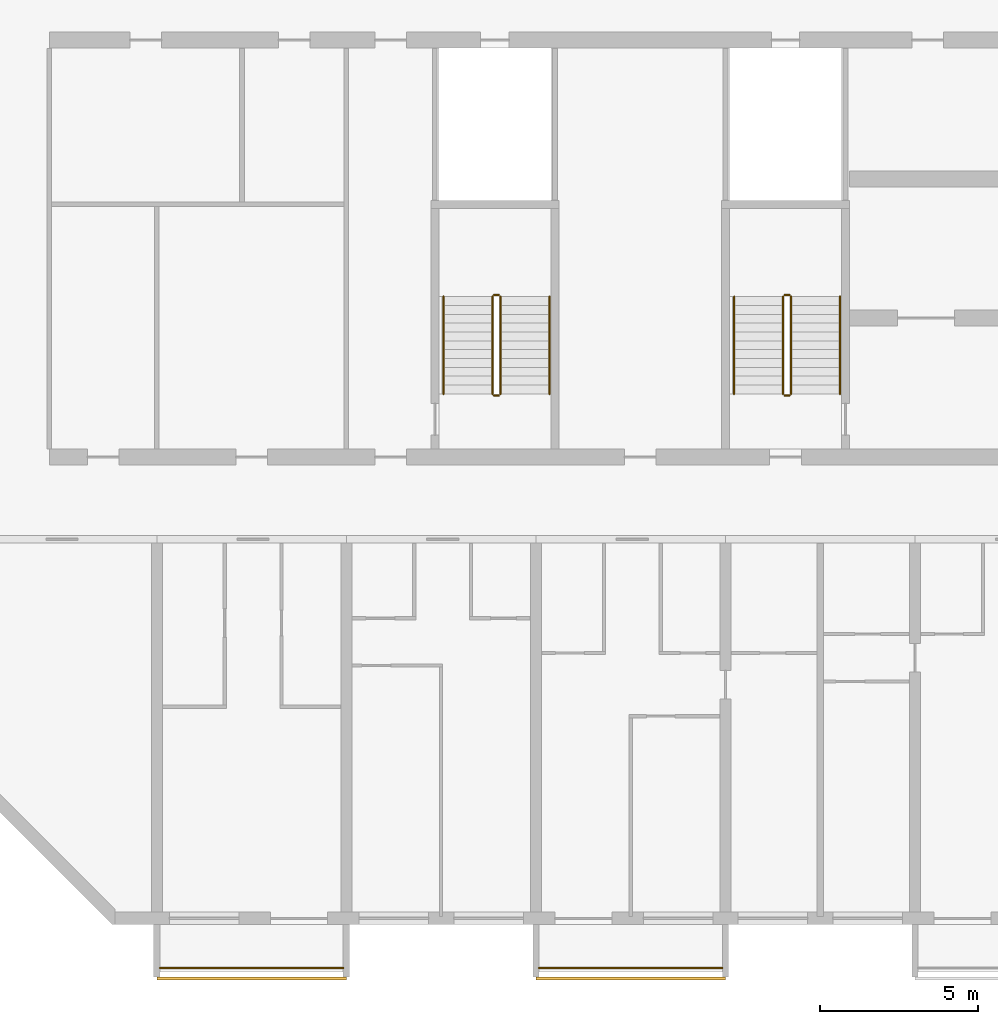
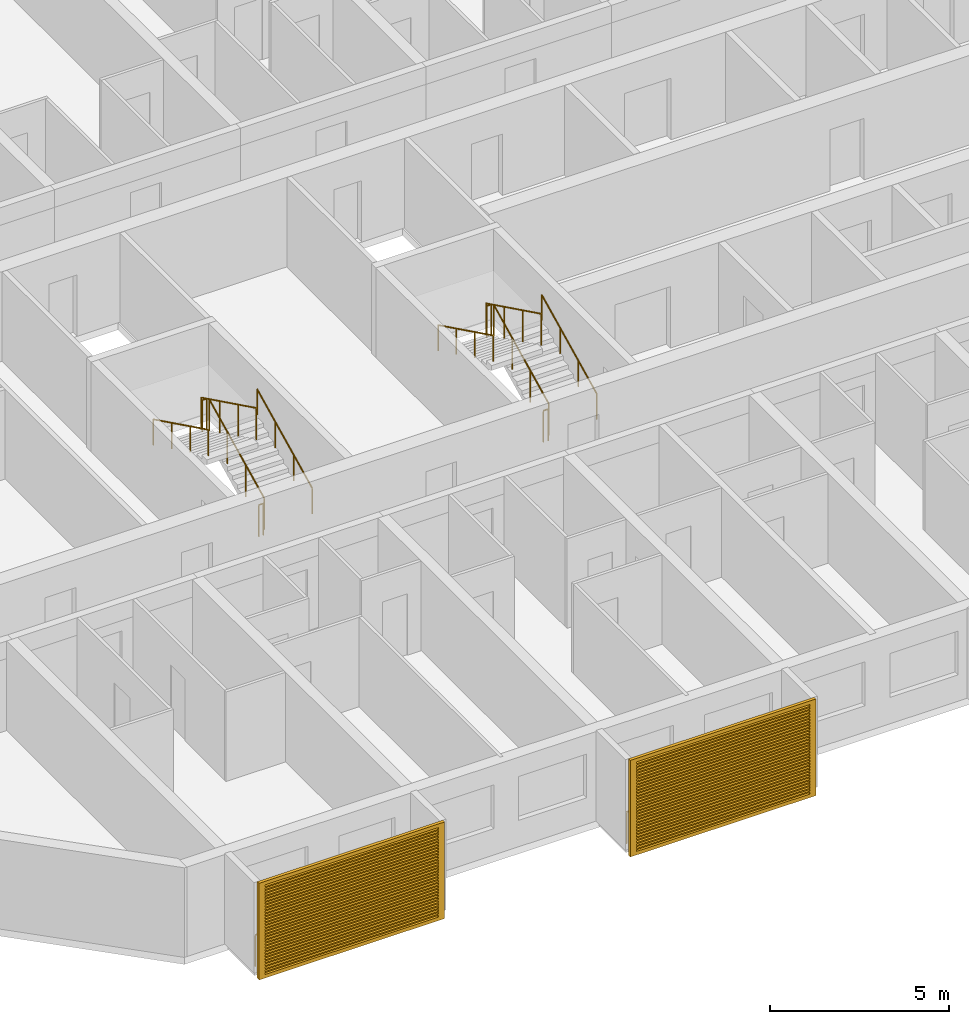
# One storey, part 18 of 29: 14 railings, 2 shading devices.
"""IFC4 building model written with IfcOpenShell, lengths in metres."""

from ifc_helpers import new_model, si_unit, direction, frame, origin, origin_2d, place, context, subcontext, project, spatial, polyline, circle, outline, extrude, source, transform, mapped, material, material_profile, profile_set, type_object, element, save


model = new_model("IFC4")

# Units and contexts
model_context = context("Model", 3, precision=1e-05, world=origin(), true_north=direction((0.0, 1.0)))
body_context = subcontext(model_context, "Body", "Model", "MODEL_VIEW")
ifc_project = project(units=[si_unit("LENGTHUNIT", "METRE"), si_unit("AREAUNIT", "SQUARE_METRE"), si_unit("VOLUMEUNIT", "CUBIC_METRE"), si_unit("PLANEANGLEUNIT", "RADIAN"), si_unit("MASSUNIT", "GRAM", prefix="KILO")], contexts=[model_context])

# Site, building, storey
site_placement = place(None, origin())
site = spatial("IfcSite", under=ifc_project, at=site_placement, CompositionType="ELEMENT")
building_placement = place(site_placement, origin())
building = spatial("IfcBuilding", under=site, at=building_placement, Name="Poui Terraces", CompositionType="ELEMENT")
storey_placement = place(building_placement, frame((0.0, 0.0, 86.10009765625)))
storey = spatial("IfcBuildingStorey", under=building, at=storey_placement, Name="L23", CompositionType="ELEMENT", Elevation=86.10009765625)

# Railings
ifc_material_1 = material(Name="Painted steel fretwork", Category="steel")
railing_type_1 = type_object("IfcRailingType", Name="BALCONY GUARD 1100", PredefinedType="GUARDRAIL", material=ifc_material_1)
for number, where, name in (
    (1, (12.10009765625, -1.570068359375, 0.0), "BALCONY GUARD"),
    (2, (24.10009765625, -1.570068359375, 0.0), "BALCONY GUARD"),
):
    element("IfcRailing", number, at=place(storey_placement, frame(where)), inside=storey, type_object=railing_type_1, Name=name, PredefinedType="GUARDRAIL", context=body_context, shape_type="SweptSolid", body=[
        extrude(circle(Radius=0.02392578125, at=origin_2d()), frame((0.0, 0.0, 1.076171875), z_axis=(1.0, 0.0, 0.0), x_axis=(0.0, 1.0, 0.0)), (0.0, 0.0, 1.0), 5.7998046875),
        extrude(circle(Radius=0.02099609375, at=origin_2d()), origin(), (0.0, 0.0, 1.0), 1.052001953125),
        extrude(circle(Radius=0.02099609375, at=origin_2d()), frame((0.966552734375, 0.0, 0.0)), (0.0, 0.0, 1.0), 1.052001953125),
        extrude(circle(Radius=0.02099609375, at=origin_2d()), frame((1.933349609375, 0.0, 0.0)), (0.0, 0.0, 1.0), 1.052001953125),
        extrude(circle(Radius=0.02099609375, at=origin_2d()), frame((2.89990234375, 0.0, 0.0)), (0.0, 0.0, 1.0), 1.052001953125),
        extrude(circle(Radius=0.02099609375, at=origin_2d()), frame((3.866455078125, 0.0, 0.0)), (0.0, 0.0, 1.0), 1.052001953125),
        extrude(circle(Radius=0.02099609375, at=origin_2d()), frame((4.833251953125, 0.0, 0.0)), (0.0, 0.0, 1.0), 1.052001953125),
        extrude(circle(Radius=0.02099609375, at=origin_2d()), frame((5.7998046875, 0.0, 0.0)), (0.0, 0.0, 1.0), 1.052001953125),
    ])
ifc_material_2 = material(Name="Galvanised steel balustrade", Category="steel")
railing_type_2 = type_object("IfcRailingType", Name="STAIR GUARD 1100", PredefinedType="GUARDRAIL", material=ifc_material_2)
railing_1_placement = place(storey_placement, frame((32.074951171875, 16.60009765625, 0.137451171875)))
element("IfcRailing", 3, at=railing_1_placement, inside=storey, type_object=railing_type_2, Name="L23 ST-CW stair guard 1", PredefinedType="GUARDRAIL", context=body_context, shape_type="SweptSolid", body=[
    extrude(circle(Radius=0.02392578125, at=origin_2d()), frame((0.0, 0.0, 1.076171875), z_axis=(0.0, 0.897606190399, 0.440798283751), x_axis=(-1.0, 0.0, 0.0)), (0.0, 0.0, 1.0), 3.43115234375),
    extrude(circle(Radius=0.02099609375, at=origin_2d()), origin(), (0.0, 0.0, 1.0), 1.052001953125),
    extrude(circle(Radius=0.02099609375, at=origin_2d()), frame((0.0, 1.026611328125, 0.504150390625)), (0.0, 0.0, 1.0), 1.052001953125),
    extrude(circle(Radius=0.02099609375, at=origin_2d()), frame((0.0, 2.05322265625, 1.00830078125)), (0.0, 0.0, 1.0), 1.052001953125),
    extrude(circle(Radius=0.02099609375, at=origin_2d()), frame((0.0, 3.079833984375, 1.512451171875)), (0.0, 0.0, 1.0), 1.052001953125),
])
railing_2_placement = place(storey_placement, frame((32.02490234375, 19.72998046875, 1.64990234375)))
element("IfcRailing", 4, at=railing_2_placement, inside=storey, type_object=railing_type_2, Name="L23 ST-CW stair guard 2", PredefinedType="GUARDRAIL", context=body_context, shape_type="SweptSolid", body=[
    extrude(circle(Radius=0.02392578125, at=origin_2d()), frame((0.0, 0.0, 1.076171875), z_axis=(-1.0, 0.0, 0.0), x_axis=(0.0, -1.0, 0.0)), (0.0, 0.0, 1.0), 0.14990234375),
    extrude(circle(Radius=0.02099609375, at=origin_2d()), origin(), (0.0, 0.0, 1.0), 1.052001953125),
    extrude(circle(Radius=0.02099609375, at=origin_2d()), frame((-0.14990234375, 0.0, 0.0)), (0.0, 0.0, 1.0), 1.052001953125),
])
railing_3_placement = place(storey_placement, frame((31.824951171875, 19.679931640625, 1.787353515625)))
element("IfcRailing", 5, at=railing_3_placement, inside=storey, type_object=railing_type_2, Name="L23 ST-CW stair guard 3", PredefinedType="GUARDRAIL", context=body_context, shape_type="SweptSolid", body=[
    extrude(circle(Radius=0.02392578125, at=origin_2d()), frame((0.0, 0.0, 1.076171875), z_axis=(0.0, -0.897606190399, 0.440798283751), x_axis=(1.0, 0.0, 0.0)), (0.0, 0.0, 1.0), 3.43115234375),
    extrude(circle(Radius=0.02099609375, at=origin_2d()), origin(), (0.0, 0.0, 1.0), 1.052001953125),
    extrude(circle(Radius=0.02099609375, at=origin_2d()), frame((0.0, -1.026611328125, 0.504150390625)), (0.0, 0.0, 1.0), 1.052001953125),
    extrude(circle(Radius=0.02099609375, at=origin_2d()), frame((0.0, -2.05322265625, 1.00830078125)), (0.0, 0.0, 1.0), 1.052001953125),
    extrude(circle(Radius=0.02099609375, at=origin_2d()), frame((0.0, -3.079833984375, 1.512451171875)), (0.0, 0.0, 1.0), 1.052001953125),
])
railing_4_placement = place(storey_placement, frame((32.02490234375, 16.550048828125, 0.0)))
element("IfcRailing", 6, at=railing_4_placement, inside=storey, type_object=railing_type_2, Name="L23 ST-CW stair guard 4", PredefinedType="GUARDRAIL", context=body_context, shape_type="SweptSolid", body=[
    extrude(circle(Radius=0.02392578125, at=origin_2d()), frame((0.0, 0.0, 1.076171875), z_axis=(-1.0, 0.0, 0.0), x_axis=(0.0, -1.0, 0.0)), (0.0, 0.0, 1.0), 0.14990234375),
    extrude(circle(Radius=0.02099609375, at=origin_2d()), origin(), (0.0, 0.0, 1.0), 1.052001953125),
    extrude(circle(Radius=0.02099609375, at=origin_2d()), frame((-0.14990234375, 0.0, 0.0)), (0.0, 0.0, 1.0), 1.052001953125),
])
railing_5_placement = place(storey_placement, frame((22.875, 16.60009765625, 0.137451171875)))
element("IfcRailing", 7, at=railing_5_placement, inside=storey, type_object=railing_type_2, Name="L23 ST-W stair guard 1", PredefinedType="GUARDRAIL", context=body_context, shape_type="SweptSolid", body=[
    extrude(circle(Radius=0.02392578125, at=origin_2d()), frame((0.0, 0.0, 1.076171875), z_axis=(0.0, 0.897606190399, 0.440798283751), x_axis=(-1.0, 0.0, 0.0)), (0.0, 0.0, 1.0), 3.43115234375),
    extrude(circle(Radius=0.02099609375, at=origin_2d()), origin(), (0.0, 0.0, 1.0), 1.052001953125),
    extrude(circle(Radius=0.02099609375, at=origin_2d()), frame((0.0, 1.026611328125, 0.504150390625)), (0.0, 0.0, 1.0), 1.052001953125),
    extrude(circle(Radius=0.02099609375, at=origin_2d()), frame((0.0, 2.05322265625, 1.00830078125)), (0.0, 0.0, 1.0), 1.052001953125),
    extrude(circle(Radius=0.02099609375, at=origin_2d()), frame((0.0, 3.079833984375, 1.512451171875)), (0.0, 0.0, 1.0), 1.052001953125),
])
railing_6_placement = place(storey_placement, frame((22.824951171875, 19.72998046875, 1.64990234375)))
element("IfcRailing", 8, at=railing_6_placement, inside=storey, type_object=railing_type_2, Name="L23 ST-W stair guard 2", PredefinedType="GUARDRAIL", context=body_context, shape_type="SweptSolid", body=[
    extrude(circle(Radius=0.02392578125, at=origin_2d()), frame((0.0, 0.0, 1.076171875), z_axis=(-1.0, 0.0, 0.0), x_axis=(0.0, -1.0, 0.0)), (0.0, 0.0, 1.0), 0.14990234375),
    extrude(circle(Radius=0.02099609375, at=origin_2d()), origin(), (0.0, 0.0, 1.0), 1.052001953125),
    extrude(circle(Radius=0.02099609375, at=origin_2d()), frame((-0.14990234375, 0.0, 0.0)), (0.0, 0.0, 1.0), 1.052001953125),
])
railing_7_placement = place(storey_placement, frame((22.625, 19.679931640625, 1.787353515625)))
element("IfcRailing", 9, at=railing_7_placement, inside=storey, type_object=railing_type_2, Name="L23 ST-W stair guard 3", PredefinedType="GUARDRAIL", context=body_context, shape_type="SweptSolid", body=[
    extrude(circle(Radius=0.02392578125, at=origin_2d()), frame((0.0, 0.0, 1.076171875), z_axis=(0.0, -0.897606190399, 0.440798283751), x_axis=(1.0, 0.0, 0.0)), (0.0, 0.0, 1.0), 3.43115234375),
    extrude(circle(Radius=0.02099609375, at=origin_2d()), origin(), (0.0, 0.0, 1.0), 1.052001953125),
    extrude(circle(Radius=0.02099609375, at=origin_2d()), frame((0.0, -1.026611328125, 0.504150390625)), (0.0, 0.0, 1.0), 1.052001953125),
    extrude(circle(Radius=0.02099609375, at=origin_2d()), frame((0.0, -2.05322265625, 1.00830078125)), (0.0, 0.0, 1.0), 1.052001953125),
    extrude(circle(Radius=0.02099609375, at=origin_2d()), frame((0.0, -3.079833984375, 1.512451171875)), (0.0, 0.0, 1.0), 1.052001953125),
])
railing_8_placement = place(storey_placement, frame((22.824951171875, 16.550048828125, 0.0)))
element("IfcRailing", 10, at=railing_8_placement, inside=storey, type_object=railing_type_2, Name="L23 ST-W stair guard 4", PredefinedType="GUARDRAIL", context=body_context, shape_type="SweptSolid", body=[
    extrude(circle(Radius=0.02392578125, at=origin_2d()), frame((0.0, 0.0, 1.076171875), z_axis=(-1.0, 0.0, 0.0), x_axis=(0.0, -1.0, 0.0)), (0.0, 0.0, 1.0), 0.14990234375),
    extrude(circle(Radius=0.02099609375, at=origin_2d()), origin(), (0.0, 0.0, 1.0), 1.052001953125),
    extrude(circle(Radius=0.02099609375, at=origin_2d()), frame((-0.14990234375, 0.0, 0.0)), (0.0, 0.0, 1.0), 1.052001953125),
])
ifc_material_3 = material(Name="Stainless steel handrail", Category="steel")
railing_type_3 = type_object("IfcRailingType", Name="STAIR HANDRAIL 900", PredefinedType="HANDRAIL", material=ifc_material_3)
railing_9_placement = place(storey_placement, frame((33.625, 16.60009765625, 0.137451171875)))
element("IfcRailing", 11, at=railing_9_placement, inside=storey, type_object=railing_type_3, Name="L23 ST-CW stair handrail 1", PredefinedType="HANDRAIL", context=body_context, shape_type="SweptSolid", body=[
    extrude(circle(Radius=0.02392578125, at=origin_2d()), frame((0.0, 0.0, 0.8759765625), z_axis=(0.0, 0.897606190399, 0.440798283751), x_axis=(-1.0, 0.0, 0.0)), (0.0, 0.0, 1.0), 3.43115234375),
    extrude(circle(Radius=0.02099609375, at=origin_2d()), origin(), (0.0, 0.0, 1.0), 0.851806640625),
    extrude(circle(Radius=0.02099609375, at=origin_2d()), frame((0.0, 1.026611328125, 0.504150390625)), (0.0, 0.0, 1.0), 0.851806640625),
    extrude(circle(Radius=0.02099609375, at=origin_2d()), frame((0.0, 2.05322265625, 1.00830078125)), (0.0, 0.0, 1.0), 0.851806640625),
    extrude(circle(Radius=0.02099609375, at=origin_2d()), frame((0.0, 3.079833984375, 1.512451171875)), (0.0, 0.0, 1.0), 0.851806640625),
])
railing_10_placement = place(storey_placement, frame((30.27490234375, 19.679931640625, 1.787353515625)))
element("IfcRailing", 12, at=railing_10_placement, inside=storey, type_object=railing_type_3, Name="L23 ST-CW stair handrail 2", PredefinedType="HANDRAIL", context=body_context, shape_type="SweptSolid", body=[
    extrude(circle(Radius=0.02392578125, at=origin_2d()), frame((0.0, 0.0, 0.8759765625), z_axis=(0.0, -0.897606190399, 0.440798283751), x_axis=(1.0, 0.0, 0.0)), (0.0, 0.0, 1.0), 3.43115234375),
    extrude(circle(Radius=0.02099609375, at=origin_2d()), origin(), (0.0, 0.0, 1.0), 0.851806640625),
    extrude(circle(Radius=0.02099609375, at=origin_2d()), frame((0.0, -1.026611328125, 0.504150390625)), (0.0, 0.0, 1.0), 0.851806640625),
    extrude(circle(Radius=0.02099609375, at=origin_2d()), frame((0.0, -2.05322265625, 1.00830078125)), (0.0, 0.0, 1.0), 0.851806640625),
    extrude(circle(Radius=0.02099609375, at=origin_2d()), frame((0.0, -3.079833984375, 1.512451171875)), (0.0, 0.0, 1.0), 0.851806640625),
])
railing_11_placement = place(storey_placement, frame((24.425048828125, 16.60009765625, 0.137451171875)))
element("IfcRailing", 13, at=railing_11_placement, inside=storey, type_object=railing_type_3, Name="L23 ST-W stair handrail 1", PredefinedType="HANDRAIL", context=body_context, shape_type="SweptSolid", body=[
    extrude(circle(Radius=0.02392578125, at=origin_2d()), frame((0.0, 0.0, 0.8759765625), z_axis=(0.0, 0.897606190399, 0.440798283751), x_axis=(-1.0, 0.0, 0.0)), (0.0, 0.0, 1.0), 3.43115234375),
    extrude(circle(Radius=0.02099609375, at=origin_2d()), origin(), (0.0, 0.0, 1.0), 0.851806640625),
    extrude(circle(Radius=0.02099609375, at=origin_2d()), frame((0.0, 1.026611328125, 0.504150390625)), (0.0, 0.0, 1.0), 0.851806640625),
    extrude(circle(Radius=0.02099609375, at=origin_2d()), frame((0.0, 2.05322265625, 1.00830078125)), (0.0, 0.0, 1.0), 0.851806640625),
    extrude(circle(Radius=0.02099609375, at=origin_2d()), frame((0.0, 3.079833984375, 1.512451171875)), (0.0, 0.0, 1.0), 0.851806640625),
])
railing_12_placement = place(storey_placement, frame((21.074951171875, 19.679931640625, 1.787353515625)))
element("IfcRailing", 14, at=railing_12_placement, inside=storey, type_object=railing_type_3, Name="L23 ST-W stair handrail 2", PredefinedType="HANDRAIL", context=body_context, shape_type="SweptSolid", body=[
    extrude(circle(Radius=0.02392578125, at=origin_2d()), frame((0.0, 0.0, 0.8759765625), z_axis=(0.0, -0.897606190399, 0.440798283751), x_axis=(1.0, 0.0, 0.0)), (0.0, 0.0, 1.0), 3.43115234375),
    extrude(circle(Radius=0.02099609375, at=origin_2d()), origin(), (0.0, 0.0, 1.0), 0.851806640625),
    extrude(circle(Radius=0.02099609375, at=origin_2d()), frame((0.0, -1.026611328125, 0.504150390625)), (0.0, 0.0, 1.0), 0.851806640625),
    extrude(circle(Radius=0.02099609375, at=origin_2d()), frame((0.0, -2.05322265625, 1.00830078125)), (0.0, 0.0, 1.0), 0.851806640625),
    extrude(circle(Radius=0.02099609375, at=origin_2d()), frame((0.0, -3.079833984375, 1.512451171875)), (0.0, 0.0, 1.0), 0.851806640625),
])

# Shading devices
ifc_material_4 = material(Name="Aluminium louvre", Category="aluminium")
ifc_material_profile = material_profile(ifc_material_4, outline(polyline([(-3.0, -1.64990234375), (3.0, -1.64990234375), (3.0, 1.64990234375), (-3.0, 1.64990234375), (-3.0, -1.64990234375)]), holes=[polyline([(-2.800048828125, -1.530029296875), (2.800048828125, -1.530029296875), (2.800048828125, -1.469970703125), (-2.800048828125, -1.469970703125), (-2.800048828125, -1.530029296875)]), polyline([(-2.800048828125, -1.429931640625), (2.800048828125, -1.429931640625), (2.800048828125, -1.3701171875), (-2.800048828125, -1.3701171875), (-2.800048828125, -1.429931640625)]), polyline([(-2.800048828125, -1.330078125), (2.800048828125, -1.330078125), (2.800048828125, -1.27001953125), (-2.800048828125, -1.27001953125), (-2.800048828125, -1.330078125)]), polyline([(-2.800048828125, -1.22998046875), (2.800048828125, -1.22998046875), (2.800048828125, -1.169921875), (-2.800048828125, -1.169921875), (-2.800048828125, -1.22998046875)]), polyline([(-2.800048828125, -1.1298828125), (2.800048828125, -1.1298828125), (2.800048828125, -1.070068359375), (-2.800048828125, -1.070068359375), (-2.800048828125, -1.1298828125)]), polyline([(-2.800048828125, -1.030029296875), (2.800048828125, -1.030029296875), (2.800048828125, -0.969970703125), (-2.800048828125, -0.969970703125), (-2.800048828125, -1.030029296875)]), polyline([(-2.800048828125, -0.929931640625), (2.800048828125, -0.929931640625), (2.800048828125, -0.8701171875), (-2.800048828125, -0.8701171875), (-2.800048828125, -0.929931640625)]), polyline([(-2.800048828125, -0.830078125), (2.800048828125, -0.830078125), (2.800048828125, -0.77001953125), (-2.800048828125, -0.77001953125), (-2.800048828125, -0.830078125)]), polyline([(-2.800048828125, -0.72998046875), (2.800048828125, -0.72998046875), (2.800048828125, -0.669921875), (-2.800048828125, -0.669921875), (-2.800048828125, -0.72998046875)]), polyline([(-2.800048828125, -0.6298828125), (2.800048828125, -0.6298828125), (2.800048828125, -0.570068359375), (-2.800048828125, -0.570068359375), (-2.800048828125, -0.6298828125)]), polyline([(-2.800048828125, -0.530029296875), (2.800048828125, -0.530029296875), (2.800048828125, -0.469970703125), (-2.800048828125, -0.469970703125), (-2.800048828125, -0.530029296875)]), polyline([(-2.800048828125, -0.429931640625), (2.800048828125, -0.429931640625), (2.800048828125, -0.3701171875), (-2.800048828125, -0.3701171875), (-2.800048828125, -0.429931640625)]), polyline([(-2.800048828125, -0.330078125), (2.800048828125, -0.330078125), (2.800048828125, -0.27001953125), (-2.800048828125, -0.27001953125), (-2.800048828125, -0.330078125)]), polyline([(-2.800048828125, -0.22998046875), (2.800048828125, -0.22998046875), (2.800048828125, -0.169921875), (-2.800048828125, -0.169921875), (-2.800048828125, -0.22998046875)]), polyline([(-2.800048828125, -0.1298828125), (2.800048828125, -0.1298828125), (2.800048828125, -0.070068359375), (-2.800048828125, -0.070068359375), (-2.800048828125, -0.1298828125)]), polyline([(-2.800048828125, -0.030029296875), (2.800048828125, -0.030029296875), (2.800048828125, 0.030029296875), (-2.800048828125, 0.030029296875), (-2.800048828125, -0.030029296875)]), polyline([(-2.800048828125, 0.070068359375), (2.800048828125, 0.070068359375), (2.800048828125, 0.1298828125), (-2.800048828125, 0.1298828125), (-2.800048828125, 0.070068359375)]), polyline([(-2.800048828125, 0.169921875), (2.800048828125, 0.169921875), (2.800048828125, 0.22998046875), (-2.800048828125, 0.22998046875), (-2.800048828125, 0.169921875)]), polyline([(-2.800048828125, 0.27001953125), (2.800048828125, 0.27001953125), (2.800048828125, 0.330078125), (-2.800048828125, 0.330078125), (-2.800048828125, 0.27001953125)]), polyline([(-2.800048828125, 0.3701171875), (2.800048828125, 0.3701171875), (2.800048828125, 0.429931640625), (-2.800048828125, 0.429931640625), (-2.800048828125, 0.3701171875)]), polyline([(-2.800048828125, 0.469970703125), (2.800048828125, 0.469970703125), (2.800048828125, 0.530029296875), (-2.800048828125, 0.530029296875), (-2.800048828125, 0.469970703125)]), polyline([(-2.800048828125, 0.570068359375), (2.800048828125, 0.570068359375), (2.800048828125, 0.6298828125), (-2.800048828125, 0.6298828125), (-2.800048828125, 0.570068359375)]), polyline([(-2.800048828125, 0.669921875), (2.800048828125, 0.669921875), (2.800048828125, 0.72998046875), (-2.800048828125, 0.72998046875), (-2.800048828125, 0.669921875)]), polyline([(-2.800048828125, 0.77001953125), (2.800048828125, 0.77001953125), (2.800048828125, 0.830078125), (-2.800048828125, 0.830078125), (-2.800048828125, 0.77001953125)]), polyline([(-2.800048828125, 0.8701171875), (2.800048828125, 0.8701171875), (2.800048828125, 0.929931640625), (-2.800048828125, 0.929931640625), (-2.800048828125, 0.8701171875)]), polyline([(-2.800048828125, 0.969970703125), (2.800048828125, 0.969970703125), (2.800048828125, 1.030029296875), (-2.800048828125, 1.030029296875), (-2.800048828125, 0.969970703125)]), polyline([(-2.800048828125, 1.070068359375), (2.800048828125, 1.070068359375), (2.800048828125, 1.1298828125), (-2.800048828125, 1.1298828125), (-2.800048828125, 1.070068359375)]), polyline([(-2.800048828125, 1.169921875), (2.800048828125, 1.169921875), (2.800048828125, 1.22998046875), (-2.800048828125, 1.22998046875), (-2.800048828125, 1.169921875)]), polyline([(-2.800048828125, 1.27001953125), (2.800048828125, 1.27001953125), (2.800048828125, 1.330078125), (-2.800048828125, 1.330078125), (-2.800048828125, 1.27001953125)]), polyline([(-2.800048828125, 1.3701171875), (2.800048828125, 1.3701171875), (2.800048828125, 1.429931640625), (-2.800048828125, 1.429931640625), (-2.800048828125, 1.3701171875)]), polyline([(-2.800048828125, 1.469970703125), (2.800048828125, 1.469970703125), (2.800048828125, 1.530029296875), (-2.800048828125, 1.530029296875), (-2.800048828125, 1.469970703125)])]), Name="JALOUSIE LOUVRE SHUTTER 6000X3300")
ifc_profile_set = profile_set([ifc_material_profile], Name="Aluminium louvre")
shading_device_type = type_object("IfcShadingDeviceType", Name="JALOUSIE LOUVRE SHUTTER 6000X3300", PredefinedType="JALOUSIE", material=ifc_profile_set)
shared_shape = source(origin(), body_context, "Body", "SweptSolid", [
    extrude(outline(polyline([(-3.0, -1.64990234375), (3.0, -1.64990234375), (3.0, 1.64990234375), (-3.0, 1.64990234375), (-3.0, -1.64990234375)]), holes=[polyline([(-2.800048828125, -1.530029296875), (2.800048828125, -1.530029296875), (2.800048828125, -1.469970703125), (-2.800048828125, -1.469970703125), (-2.800048828125, -1.530029296875)]), polyline([(-2.800048828125, -1.429931640625), (2.800048828125, -1.429931640625), (2.800048828125, -1.3701171875), (-2.800048828125, -1.3701171875), (-2.800048828125, -1.429931640625)]), polyline([(-2.800048828125, -1.330078125), (2.800048828125, -1.330078125), (2.800048828125, -1.27001953125), (-2.800048828125, -1.27001953125), (-2.800048828125, -1.330078125)]), polyline([(-2.800048828125, -1.22998046875), (2.800048828125, -1.22998046875), (2.800048828125, -1.169921875), (-2.800048828125, -1.169921875), (-2.800048828125, -1.22998046875)]), polyline([(-2.800048828125, -1.1298828125), (2.800048828125, -1.1298828125), (2.800048828125, -1.070068359375), (-2.800048828125, -1.070068359375), (-2.800048828125, -1.1298828125)]), polyline([(-2.800048828125, -1.030029296875), (2.800048828125, -1.030029296875), (2.800048828125, -0.969970703125), (-2.800048828125, -0.969970703125), (-2.800048828125, -1.030029296875)]), polyline([(-2.800048828125, -0.929931640625), (2.800048828125, -0.929931640625), (2.800048828125, -0.8701171875), (-2.800048828125, -0.8701171875), (-2.800048828125, -0.929931640625)]), polyline([(-2.800048828125, -0.830078125), (2.800048828125, -0.830078125), (2.800048828125, -0.77001953125), (-2.800048828125, -0.77001953125), (-2.800048828125, -0.830078125)]), polyline([(-2.800048828125, -0.72998046875), (2.800048828125, -0.72998046875), (2.800048828125, -0.669921875), (-2.800048828125, -0.669921875), (-2.800048828125, -0.72998046875)]), polyline([(-2.800048828125, -0.6298828125), (2.800048828125, -0.6298828125), (2.800048828125, -0.570068359375), (-2.800048828125, -0.570068359375), (-2.800048828125, -0.6298828125)]), polyline([(-2.800048828125, -0.530029296875), (2.800048828125, -0.530029296875), (2.800048828125, -0.469970703125), (-2.800048828125, -0.469970703125), (-2.800048828125, -0.530029296875)]), polyline([(-2.800048828125, -0.429931640625), (2.800048828125, -0.429931640625), (2.800048828125, -0.3701171875), (-2.800048828125, -0.3701171875), (-2.800048828125, -0.429931640625)]), polyline([(-2.800048828125, -0.330078125), (2.800048828125, -0.330078125), (2.800048828125, -0.27001953125), (-2.800048828125, -0.27001953125), (-2.800048828125, -0.330078125)]), polyline([(-2.800048828125, -0.22998046875), (2.800048828125, -0.22998046875), (2.800048828125, -0.169921875), (-2.800048828125, -0.169921875), (-2.800048828125, -0.22998046875)]), polyline([(-2.800048828125, -0.1298828125), (2.800048828125, -0.1298828125), (2.800048828125, -0.070068359375), (-2.800048828125, -0.070068359375), (-2.800048828125, -0.1298828125)]), polyline([(-2.800048828125, -0.030029296875), (2.800048828125, -0.030029296875), (2.800048828125, 0.030029296875), (-2.800048828125, 0.030029296875), (-2.800048828125, -0.030029296875)]), polyline([(-2.800048828125, 0.070068359375), (2.800048828125, 0.070068359375), (2.800048828125, 0.1298828125), (-2.800048828125, 0.1298828125), (-2.800048828125, 0.070068359375)]), polyline([(-2.800048828125, 0.169921875), (2.800048828125, 0.169921875), (2.800048828125, 0.22998046875), (-2.800048828125, 0.22998046875), (-2.800048828125, 0.169921875)]), polyline([(-2.800048828125, 0.27001953125), (2.800048828125, 0.27001953125), (2.800048828125, 0.330078125), (-2.800048828125, 0.330078125), (-2.800048828125, 0.27001953125)]), polyline([(-2.800048828125, 0.3701171875), (2.800048828125, 0.3701171875), (2.800048828125, 0.429931640625), (-2.800048828125, 0.429931640625), (-2.800048828125, 0.3701171875)]), polyline([(-2.800048828125, 0.469970703125), (2.800048828125, 0.469970703125), (2.800048828125, 0.530029296875), (-2.800048828125, 0.530029296875), (-2.800048828125, 0.469970703125)]), polyline([(-2.800048828125, 0.570068359375), (2.800048828125, 0.570068359375), (2.800048828125, 0.6298828125), (-2.800048828125, 0.6298828125), (-2.800048828125, 0.570068359375)]), polyline([(-2.800048828125, 0.669921875), (2.800048828125, 0.669921875), (2.800048828125, 0.72998046875), (-2.800048828125, 0.72998046875), (-2.800048828125, 0.669921875)]), polyline([(-2.800048828125, 0.77001953125), (2.800048828125, 0.77001953125), (2.800048828125, 0.830078125), (-2.800048828125, 0.830078125), (-2.800048828125, 0.77001953125)]), polyline([(-2.800048828125, 0.8701171875), (2.800048828125, 0.8701171875), (2.800048828125, 0.929931640625), (-2.800048828125, 0.929931640625), (-2.800048828125, 0.8701171875)]), polyline([(-2.800048828125, 0.969970703125), (2.800048828125, 0.969970703125), (2.800048828125, 1.030029296875), (-2.800048828125, 1.030029296875), (-2.800048828125, 0.969970703125)]), polyline([(-2.800048828125, 1.070068359375), (2.800048828125, 1.070068359375), (2.800048828125, 1.1298828125), (-2.800048828125, 1.1298828125), (-2.800048828125, 1.070068359375)]), polyline([(-2.800048828125, 1.169921875), (2.800048828125, 1.169921875), (2.800048828125, 1.22998046875), (-2.800048828125, 1.22998046875), (-2.800048828125, 1.169921875)]), polyline([(-2.800048828125, 1.27001953125), (2.800048828125, 1.27001953125), (2.800048828125, 1.330078125), (-2.800048828125, 1.330078125), (-2.800048828125, 1.27001953125)]), polyline([(-2.800048828125, 1.3701171875), (2.800048828125, 1.3701171875), (2.800048828125, 1.429931640625), (-2.800048828125, 1.429931640625), (-2.800048828125, 1.3701171875)]), polyline([(-2.800048828125, 1.469970703125), (2.800048828125, 1.469970703125), (2.800048828125, 1.530029296875), (-2.800048828125, 1.530029296875), (-2.800048828125, 1.469970703125)])]), origin(), (0.0, 0.0, 1.0), 0.099853515625),
])
for number, where, z_axis, x_axis, name in (
    (15, (15.0, -1.85009765625, 1.449951171875), (0.0, -1.0, 0.0), (1.0, 0.0, 0.0), "JALOUSIE LOUVRE SHUTTER"),
    (16, (27.0, -1.85009765625, 1.449951171875), (0.0, -1.0, 0.0), (1.0, 0.0, 0.0), "JALOUSIE LOUVRE SHUTTER"),
):
    element("IfcShadingDevice", number, at=place(storey_placement, frame(where, z_axis=z_axis, x_axis=x_axis)), inside=storey, type_object=shading_device_type, Name=name, PredefinedType="JALOUSIE", context=body_context, shape_type="MappedRepresentation", body=[
        mapped(shared_shape, transform((0.0, 0.0, 0.0))),
    ])

save(model, "model.ifc")
